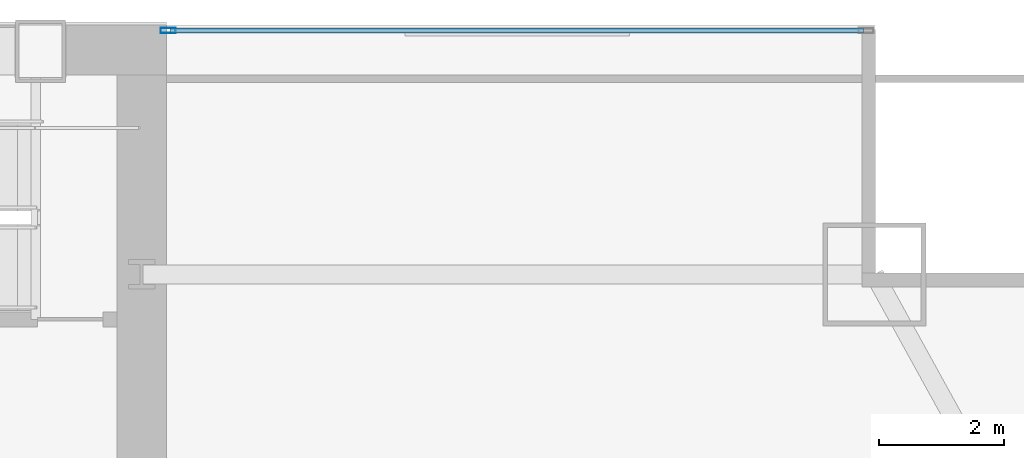
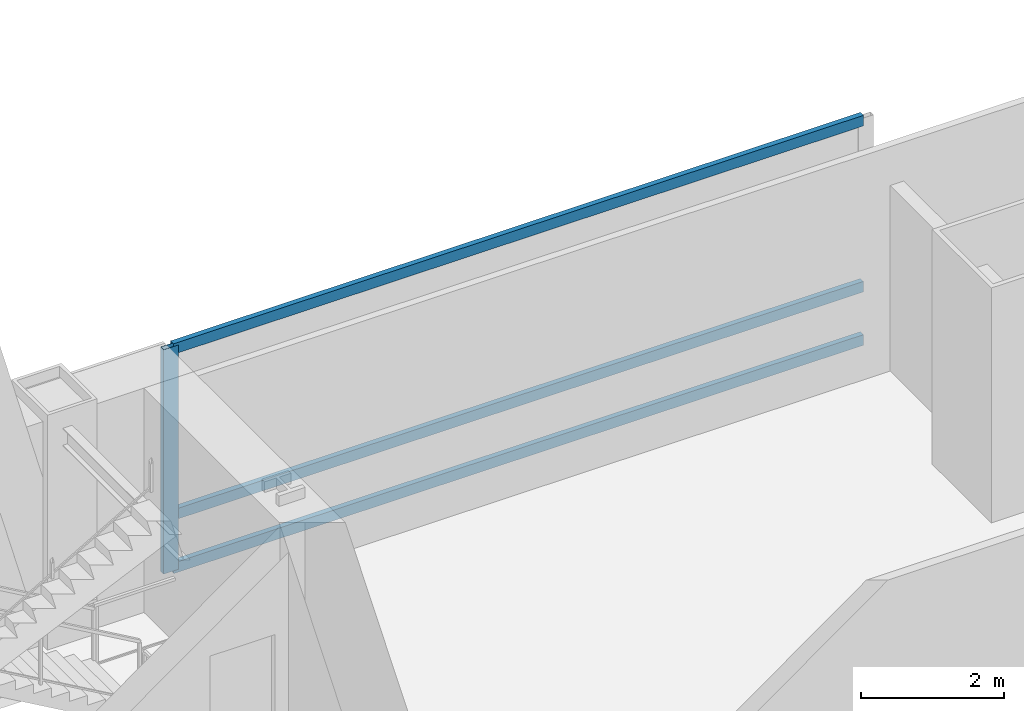
# One storey, part 20 of 37: 4 members, 1 element without a shape of its own.
"""IFC4 building model written with IfcOpenShell, lengths in metres."""

from ifc_helpers import new_model, si_unit, direction, frame, origin, origin_2d, place, context, subcontext, project, spatial, hollow_rectangle, extrude, material, material_profile, profile_set, type_object, element, aggregate, save


model = new_model("IFC4")

# Units and contexts
model_context = context("Model", 3, precision=1e-05, world=origin(), true_north=direction((0.0, 1.0)))
body_context = subcontext(model_context, "Body", "Model", "MODEL_VIEW")
ifc_project = project(units=[si_unit("LENGTHUNIT", "METRE"), si_unit("AREAUNIT", "SQUARE_METRE"), si_unit("VOLUMEUNIT", "CUBIC_METRE"), si_unit("PLANEANGLEUNIT", "RADIAN"), si_unit("MASSUNIT", "GRAM", prefix="KILO")], contexts=[model_context])

# Site, building, storey
site_placement = place(None, origin())
site = spatial("IfcSite", under=ifc_project, at=site_placement, CompositionType="ELEMENT")
building_placement = place(site_placement, origin())
building = spatial("IfcBuilding", under=site, at=building_placement, Name="Khoronbel Lancet Exchange", CompositionType="ELEMENT")
storey_placement = place(building_placement, frame((0.0, 0.0, 61.800048828125)))
storey = spatial("IfcBuildingStorey", under=building, at=storey_placement, Name="L14", CompositionType="ELEMENT", Elevation=61.800048828125)

# Curtain wall, members
ifc_material_1 = material(Name="Low-E Solar Control Insulating Glass", Category="glass")
curtain_wall_type = type_object("IfcCurtainWallType", Name="CW-1", PredefinedType="NOTDEFINED", material=ifc_material_1)
curtain_wall_placement = place(storey_placement, origin())
curtain_wall = element("IfcCurtainWall", 1, at=curtain_wall_placement, inside=storey, type_object=curtain_wall_type, Name="Unitised curtain wall CW-L14-NEFLK", PredefinedType="NOTDEFINED")
ifc_material_2 = material(Name="Bronze-Anodised Aluminium 6063-T6", Category="aluminium")
ifc_material_profile_1 = material_profile(ifc_material_2, hollow_rectangle(XDim=0.0849609375, YDim=0.239990234375, WallThickness=0.006103515625, at=origin_2d()), Name="ALU MULLION 85x240")
ifc_profile_set_1 = profile_set([ifc_material_profile_1], Name="Bronze-Anodised Aluminium 6063-T6")
member_type_1 = type_object("IfcMemberType", Name="MEM-CWM1", PredefinedType="MULLION", material=ifc_profile_set_1)
member_1_placement = place(storey_placement, frame((56.722412109375, 53.610107421875, 0.0), z_axis=(0.0, 0.0, 1.0), x_axis=(0.0, -1.0, 0.0)))
member_1 = element("IfcMember", 2, at=member_1_placement, type_object=member_type_1, Name="CW1 mullion 2", PredefinedType="MULLION", context=body_context, shape_type="SweptSolid", body=[
    extrude(hollow_rectangle(XDim=0.0849609375, YDim=0.239990234375, WallThickness=0.006103515625, at=origin_2d()), origin(), (0.0, 0.0, 1.0), 3.820068359375),
])
ifc_material_profile_2 = material_profile(ifc_material_2, hollow_rectangle(XDim=0.0849609375, YDim=0.179931640625, WallThickness=0.0048828125, at=origin_2d()), Name="ALU TRANSOM 85x180")
ifc_profile_set_2 = profile_set([ifc_material_profile_2], Name="Bronze-Anodised Aluminium 6063-T6")
member_type_2 = type_object("IfcMemberType", Name="MEM-CWT1", PredefinedType="USERDEFINED", material=ifc_profile_set_2)
member_2_placement = place(storey_placement, frame((67.875, 53.610107421875, 0.04248046875), z_axis=(-1.0, 0.0, 0.0), x_axis=(0.0, -1.0, 0.0)))
member_2 = element("IfcMember", 3, at=member_2_placement, type_object=member_type_2, Name="CW1 transom 1.1", ObjectType="TRANSOM", PredefinedType="USERDEFINED", context=body_context, shape_type="SweptSolid", body=[
    extrude(hollow_rectangle(XDim=0.0849609375, YDim=0.179931640625, WallThickness=0.0048828125, at=origin_2d()), origin(), (0.0, 0.0, 1.0), 11.110107421875),
])
member_3_placement = place(storey_placement, frame((67.875, 53.610107421875, 0.949951171875), z_axis=(-1.0, 0.0, 0.0), x_axis=(0.0, -1.0, 0.0)))
member_3 = element("IfcMember", 4, at=member_3_placement, type_object=member_type_2, Name="CW1 transom 1.2", ObjectType="TRANSOM", PredefinedType="USERDEFINED", context=body_context, shape_type="SweptSolid", body=[
    extrude(hollow_rectangle(XDim=0.0849609375, YDim=0.179931640625, WallThickness=0.0048828125, at=origin_2d()), origin(), (0.0, 0.0, 1.0), 11.110107421875),
])
member_4_placement = place(storey_placement, frame((67.875, 53.610107421875, 3.77734375), z_axis=(-1.0, 0.0, 0.0), x_axis=(0.0, -1.0, 0.0)))
member_4 = element("IfcMember", 5, at=member_4_placement, type_object=member_type_2, Name="CW1 transom 1.3", ObjectType="TRANSOM", PredefinedType="USERDEFINED", context=body_context, shape_type="SweptSolid", body=[
    extrude(hollow_rectangle(XDim=0.0849609375, YDim=0.179931640625, WallThickness=0.0048828125, at=origin_2d()), origin(), (0.0, 0.0, 1.0), 11.110107421875),
])
aggregate(curtain_wall, [member_1, member_2, member_3, member_4])

save(model, "model.ifc")
